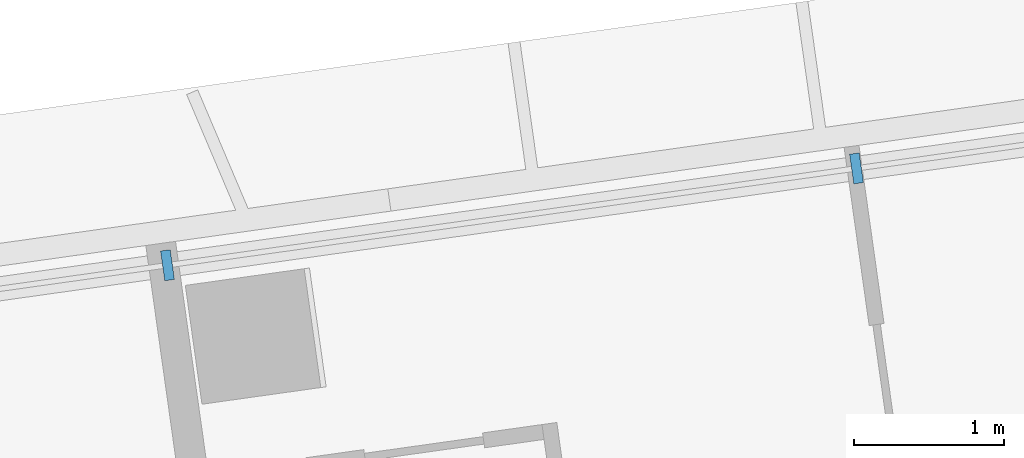
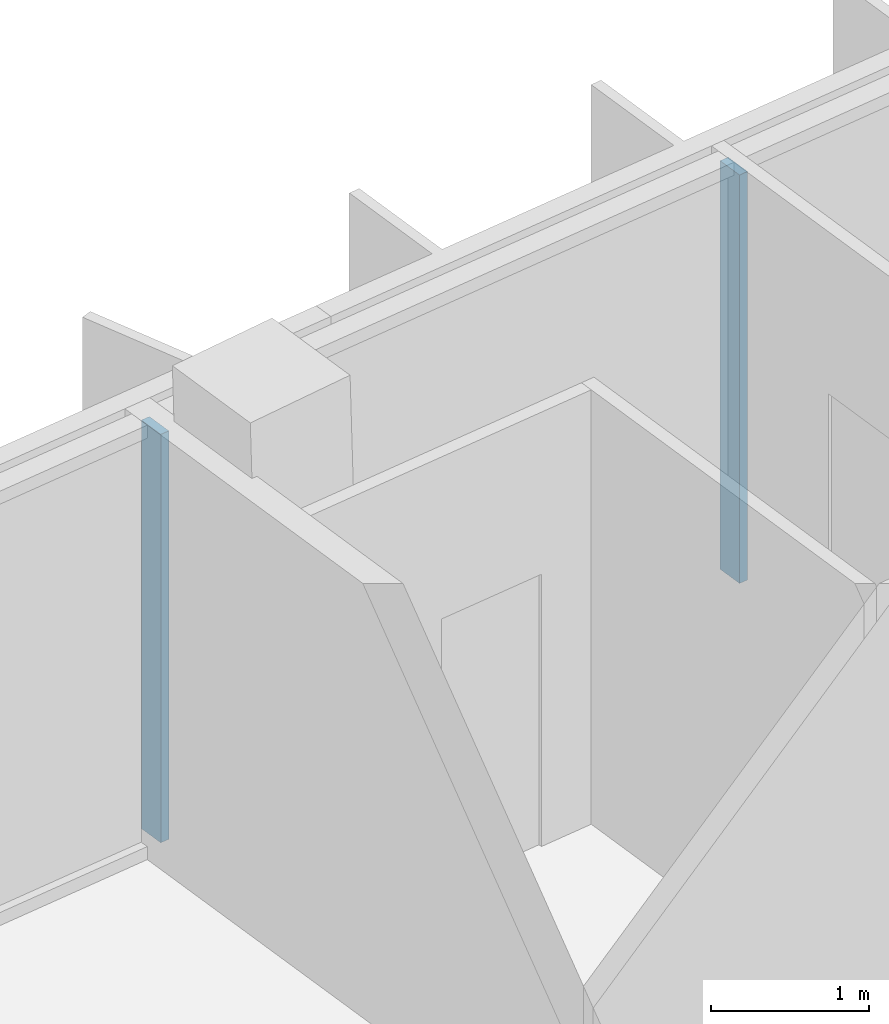
# One storey, part 9 of 23: 2 members, 1 element without a shape of its own.
"""IFC4 building model written with IfcOpenShell, lengths in metres."""

from ifc_helpers import new_model, si_unit, direction, frame, origin, origin_2d, place, context, subcontext, project, spatial, rectangle, extrude, material, material_profile, profile_set, type_object, element, aggregate, save


model = new_model("IFC4")

# Units and contexts
model_context = context("Model", 3, precision=1e-05, world=origin(), true_north=direction((0.0, 1.0)))
body_context = subcontext(model_context, "Body", "Model", "MODEL_VIEW")
ifc_project = project(units=[si_unit("LENGTHUNIT", "METRE"), si_unit("AREAUNIT", "SQUARE_METRE"), si_unit("VOLUMEUNIT", "CUBIC_METRE"), si_unit("PLANEANGLEUNIT", "RADIAN"), si_unit("MASSUNIT", "GRAM", prefix="KILO")], contexts=[model_context])

# Site, building, storey
site_placement = place(None, origin())
site = spatial("IfcSite", under=ifc_project, at=site_placement, CompositionType="ELEMENT")
building_placement = place(site_placement, origin())
building = spatial("IfcBuilding", under=site, at=building_placement, Name="Mirante Cascada Hotel Towers", CompositionType="ELEMENT")
storey_placement = place(building_placement, frame((0.0, 0.0, 187.8)))
storey = spatial("IfcBuildingStorey", under=building, at=storey_placement, Name="L44", CompositionType="ELEMENT", Elevation=187.8)

# Curtain wall, members
ifc_material_1 = material(Name="Aluminium mullion and transom frame with clear laminated glass", Category="aluminium")
curtain_wall_type = type_object("IfcCurtainWallType", Name="Ribbon curtain wall ECW1", PredefinedType="NOTDEFINED", material=ifc_material_1)
curtain_wall_placement = place(storey_placement, origin())
curtain_wall = element("IfcCurtainWall", 1, at=curtain_wall_placement, inside=storey, type_object=curtain_wall_type, Name="Front ribbon wall T2 L44", PredefinedType="NOTDEFINED")
ifc_material_2 = material(Name="Anodised aluminium extrusion", Category="aluminium")
ifc_material_profile = material_profile(ifc_material_2, rectangle(XDim=0.2, YDim=0.065, at=origin_2d()), Name="ECW1 MULLION 65x200")
ifc_profile_set = profile_set([ifc_material_profile], Name="Anodised aluminium extrusion")
member_type = type_object("IfcMemberType", Name="ECW1 mullion 65x200", PredefinedType="MULLION", material=ifc_profile_set)
member_1_placement = place(storey_placement, frame((48.7624, 19.6721, 0.1), z_axis=(0.0, 0.0, 1.0), x_axis=(0.1391731, -0.9902681, 0.0)))
member_1 = element("IfcMember", 2, at=member_1_placement, type_object=member_type, Name="ECW1 mullion 7", PredefinedType="MULLION", context=body_context, shape_type="SweptSolid", body=[
    extrude(rectangle(XDim=0.2, YDim=0.065, at=origin_2d()), origin(), (0.0, 0.0, 1.0), 3.15),
])
member_2_placement = place(storey_placement, frame((44.1673, 19.0263, 0.1), z_axis=(0.0, 0.0, 1.0), x_axis=(0.1391731, -0.9902681, 0.0)))
member_2 = element("IfcMember", 3, at=member_2_placement, type_object=member_type, Name="ECW1 mullion 8", PredefinedType="MULLION", context=body_context, shape_type="SweptSolid", body=[
    extrude(rectangle(XDim=0.2, YDim=0.065, at=origin_2d()), origin(), (0.0, 0.0, 1.0), 3.15),
])
aggregate(curtain_wall, [member_1, member_2])

save(model, "model.ifc")
